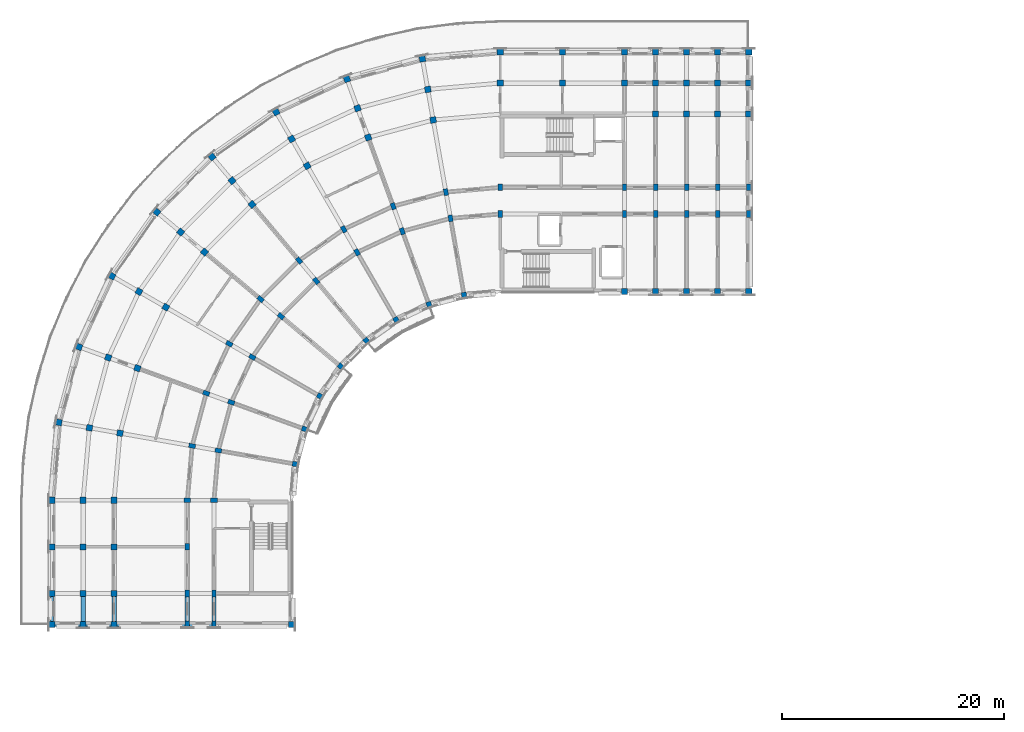
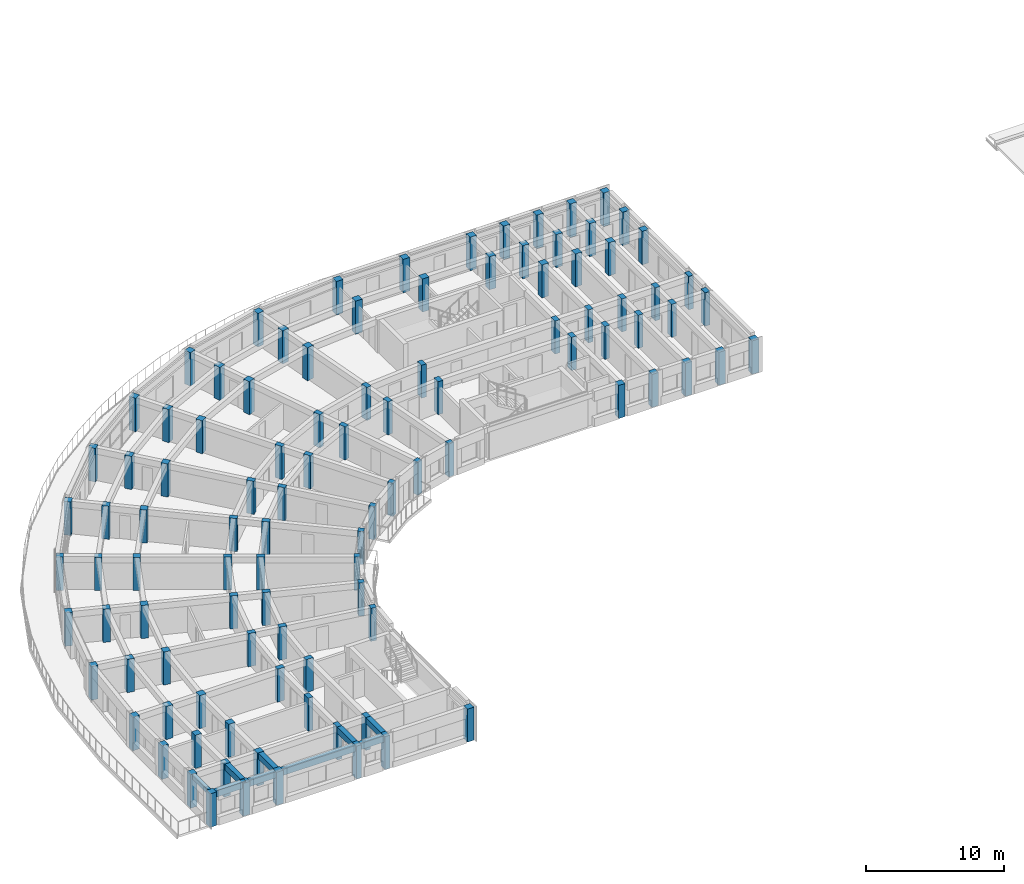
# One storey, part 1 of 23: 103 columns, 9 beams.
"""IFC4 building model written with IfcOpenShell, lengths in metres."""

from ifc_helpers import new_model, si_unit, direction, frame, origin, origin_2d, place, context, subcontext, project, spatial, rectangle, extrude, material, material_profile, profile_set, type_object, element, save


model = new_model("IFC4")

# Units and contexts
model_context = context("Model", 3, precision=1e-05, world=origin(), true_north=direction((0.0, 1.0)))
body_context = subcontext(model_context, "Body", "Model", "MODEL_VIEW")
ifc_project = project(units=[si_unit("LENGTHUNIT", "METRE"), si_unit("AREAUNIT", "SQUARE_METRE"), si_unit("VOLUMEUNIT", "CUBIC_METRE"), si_unit("PLANEANGLEUNIT", "RADIAN"), si_unit("MASSUNIT", "GRAM", prefix="KILO")], contexts=[model_context])

# Site, building, storey
site_placement = place(None, origin())
site = spatial("IfcSite", under=ifc_project, at=site_placement, CompositionType="ELEMENT")
building_placement = place(site_placement, origin())
building = spatial("IfcBuilding", under=site, at=building_placement, Name="Kiranvali Square Residences", CompositionType="ELEMENT")
storey_placement = place(building_placement, frame((0.0, 0.0, 43.35009765625)))
storey = spatial("IfcBuildingStorey", under=building, at=storey_placement, Name="L13", CompositionType="ELEMENT", Elevation=43.35009765625)

# Columns
ifc_material_1 = material(Name="Concrete M40 (40 MPa)", Category="concrete")
ifc_material_profile_1 = material_profile(ifc_material_1, rectangle(XDim=0.449951171875, YDim=0.449951171875, at=origin_2d()), Name="RC 450x450")
ifc_profile_set_1 = profile_set([ifc_material_profile_1], Name="Concrete M40 (40 MPa)")
column_type_1 = type_object("IfcColumnType", Name="COL-M40-450", PredefinedType="COLUMN", material=ifc_profile_set_1)
for number, where, z_axis, x_axis, name in (
    (1, (44.935302734375, 106.314453125, 0.0), (0.0, 0.0, 1.0), (0.984807753012, 0.173648177667, 0.0), "Block A L13 radial column A01-R0"),
    (2, (41.77001953125, 105.46630859375, 0.0), (0.0, 0.0, 1.0), (0.939692620786, 0.342020143326, 0.0), "Block A L13 radial column A02-R0"),
    (3, (38.800048828125, 104.081298828125, 0.0), (0.0, 0.0, 1.0), (0.866025403784, 0.5, 0.0), "Block A L13 radial column A03-R0"),
    (4, (36.115478515625, 102.20166015625, 0.0), (0.0, 0.0, 1.0), (0.766044443119, 0.642787609687, 0.0), "Block A L13 radial column A04-R0"),
    (5, (33.79833984375, 99.884521484375, 0.0), (0.0, 0.0, 1.0), (0.642787609687, 0.766044443119, 0.0), "Block A L13 radial column A05-R0"),
    (6, (31.918701171875, 97.199951171875, 0.0), (0.0, 0.0, 1.0), (0.5, 0.866025403784, 0.0), "Block A L13 radial column A06-R0"),
    (7, (30.53369140625, 94.22998046875, 0.0), (0.0, 0.0, 1.0), (0.342020143326, 0.939692620786, 0.0), "Block A L13 radial column A07-R0"),
    (8, (29.685546875, 91.064697265625, 0.0), (0.0, 0.0, 1.0), (0.173648177667, 0.984807753012, 0.0), "Block A L13 radial column A08-R0"),
):
    element("IfcColumn", number, at=place(storey_placement, frame(where, z_axis=z_axis, x_axis=x_axis)), inside=storey, type_object=column_type_1, Name=name, PredefinedType="COLUMN", context=body_context, shape_type="SweptSolid", body=[
        extrude(rectangle(XDim=0.449951171875, YDim=0.449951171875, at=origin_2d()), origin(), (0.0, 0.0, 1.0), 2.929931640625),
    ])
ifc_material_profile_2 = material_profile(ifc_material_1, rectangle(XDim=0.550048828125, YDim=0.550048828125, at=origin_2d()), Name="RC 550x550")
ifc_profile_set_2 = profile_set([ifc_material_profile_2], Name="Concrete M40 (40 MPa)")
column_type_2 = type_object("IfcColumnType", Name="COL-M40-550", PredefinedType="COLUMN", material=ifc_profile_set_2)
column_1_placement = place(storey_placement, frame((48.199951171875, 125.39990234375, 0.0), z_axis=(0.0, 0.0, 1.0), x_axis=(1.0, 0.0, 0.0)))
element("IfcColumn", 9, at=column_1_placement, inside=storey, type_object=column_type_2, Name="Block A L13 radial column A00-R4", PredefinedType="COLUMN", context=body_context, shape_type="SweptSolid", body=[
    extrude(rectangle(XDim=0.550048828125, YDim=0.550048828125, at=origin_2d()), origin(), (0.0, 0.0, 1.0), 2.929931640625),
])
column_2_placement = place(storey_placement, frame((48.199951171875, 128.199951171875, 0.0), z_axis=(0.0, 0.0, 1.0), x_axis=(1.0, 0.0, 0.0)))
element("IfcColumn", 10, at=column_2_placement, inside=storey, type_object=column_type_2, Name="Block A L13 radial column A00-R5", PredefinedType="COLUMN", context=body_context, shape_type="SweptSolid", body=[
    extrude(rectangle(XDim=0.550048828125, YDim=0.550048828125, at=origin_2d()), origin(), (0.0, 0.0, 1.0), 2.969970703125),
])
for number, where, z_axis, x_axis, name in (
    (11, (42.156982421875, 122.0712890625, 0.0), (0.0, 0.0, 1.0), (0.984807753012, 0.173648177667, 0.0), "Block A L13 radial column A01-R3"),
    (12, (41.6708984375, 124.828857421875, 0.0), (0.0, 0.0, 1.0), (0.984807753012, 0.173648177667, 0.0), "Block A L13 radial column A01-R4"),
):
    element("IfcColumn", number, at=place(storey_placement, frame(where, z_axis=z_axis, x_axis=x_axis)), inside=storey, type_object=column_type_2, Name=name, PredefinedType="COLUMN", context=body_context, shape_type="SweptSolid", body=[
        extrude(rectangle(XDim=0.550048828125, YDim=0.550048828125, at=origin_2d()), origin(), (0.0, 0.0, 1.0), 2.929931640625),
    ])
column_3_placement = place(storey_placement, frame((41.1845703125, 127.586181640625, 0.0), z_axis=(0.0, 0.0, 1.0), x_axis=(0.984807753012, 0.173648177667, 0.0)))
element("IfcColumn", 13, at=column_3_placement, inside=storey, type_object=column_type_2, Name="Block A L13 radial column A01-R5", PredefinedType="COLUMN", context=body_context, shape_type="SweptSolid", body=[
    extrude(rectangle(XDim=0.550048828125, YDim=0.550048828125, at=origin_2d()), origin(), (0.0, 0.0, 1.0), 2.969970703125),
])
for number, where, z_axis, x_axis, name in (
    (14, (36.297607421875, 120.501220703125, 0.0), (0.0, 0.0, 1.0), (0.939692620786, 0.342020143326, 0.0), "Block A L13 radial column A02-R3"),
    (15, (35.340087890625, 123.13232421875, 0.0), (0.0, 0.0, 1.0), (0.939692620786, 0.342020143326, 0.0), "Block A L13 radial column A02-R4"),
):
    element("IfcColumn", number, at=place(storey_placement, frame(where, z_axis=z_axis, x_axis=x_axis)), inside=storey, type_object=column_type_2, Name=name, PredefinedType="COLUMN", context=body_context, shape_type="SweptSolid", body=[
        extrude(rectangle(XDim=0.550048828125, YDim=0.550048828125, at=origin_2d()), origin(), (0.0, 0.0, 1.0), 2.929931640625),
    ])
column_4_placement = place(storey_placement, frame((34.38232421875, 125.763671875, 0.0), z_axis=(0.0, 0.0, 1.0), x_axis=(0.939692620786, 0.342020143326, 0.0)))
element("IfcColumn", 16, at=column_4_placement, inside=storey, type_object=column_type_2, Name="Block A L13 radial column A02-R5", PredefinedType="COLUMN", context=body_context, shape_type="SweptSolid", body=[
    extrude(rectangle(XDim=0.550048828125, YDim=0.550048828125, at=origin_2d()), origin(), (0.0, 0.0, 1.0), 2.969970703125),
])
for number, where, z_axis, x_axis, name in (
    (17, (30.800048828125, 117.937744140625, 0.0), (0.0, 0.0, 1.0), (0.866025403784, 0.5, 0.0), "Block A L13 radial column A03-R3"),
    (18, (29.39990234375, 120.362548828125, 0.0), (0.0, 0.0, 1.0), (0.866025403784, 0.5, 0.0), "Block A L13 radial column A03-R4"),
):
    element("IfcColumn", number, at=place(storey_placement, frame(where, z_axis=z_axis, x_axis=x_axis)), inside=storey, type_object=column_type_2, Name=name, PredefinedType="COLUMN", context=body_context, shape_type="SweptSolid", body=[
        extrude(rectangle(XDim=0.550048828125, YDim=0.550048828125, at=origin_2d()), origin(), (0.0, 0.0, 1.0), 2.929931640625),
    ])
column_5_placement = place(storey_placement, frame((28.0, 122.787353515625, 0.0), z_axis=(0.0, 0.0, 1.0), x_axis=(0.866025403784, 0.5, 0.0)))
element("IfcColumn", 19, at=column_5_placement, inside=storey, type_object=column_type_2, Name="Block A L13 radial column A03-R5", PredefinedType="COLUMN", context=body_context, shape_type="SweptSolid", body=[
    extrude(rectangle(XDim=0.550048828125, YDim=0.550048828125, at=origin_2d()), origin(), (0.0, 0.0, 1.0), 2.969970703125),
])
for number, where, z_axis, x_axis, name in (
    (20, (25.8310546875, 114.458251953125, 0.0), (0.0, 0.0, 1.0), (0.766044443119, 0.642787609687, 0.0), "Block A L13 radial column A04-R3"),
    (21, (24.03125, 116.603271484375, 0.0), (0.0, 0.0, 1.0), (0.766044443119, 0.642787609687, 0.0), "Block A L13 radial column A04-R4"),
):
    element("IfcColumn", number, at=place(storey_placement, frame(where, z_axis=z_axis, x_axis=x_axis)), inside=storey, type_object=column_type_2, Name=name, PredefinedType="COLUMN", context=body_context, shape_type="SweptSolid", body=[
        extrude(rectangle(XDim=0.550048828125, YDim=0.550048828125, at=origin_2d()), origin(), (0.0, 0.0, 1.0), 2.929931640625),
    ])
column_6_placement = place(storey_placement, frame((22.2314453125, 118.748291015625, 0.0), z_axis=(0.0, 0.0, 1.0), x_axis=(0.766044443119, 0.642787609687, 0.0)))
element("IfcColumn", 22, at=column_6_placement, inside=storey, type_object=column_type_2, Name="Block A L13 radial column A04-R5", PredefinedType="COLUMN", context=body_context, shape_type="SweptSolid", body=[
    extrude(rectangle(XDim=0.550048828125, YDim=0.550048828125, at=origin_2d()), origin(), (0.0, 0.0, 1.0), 2.969970703125),
])
for number, where, z_axis, x_axis, name in (
    (23, (21.541748046875, 110.1689453125, 0.0), (0.0, 0.0, 1.0), (0.642787609687, 0.766044443119, 0.0), "Block A L13 radial column A05-R3"),
    (24, (19.396728515625, 111.96875, 0.0), (0.0, 0.0, 1.0), (0.642787609687, 0.766044443119, 0.0), "Block A L13 radial column A05-R4"),
):
    element("IfcColumn", number, at=place(storey_placement, frame(where, z_axis=z_axis, x_axis=x_axis)), inside=storey, type_object=column_type_2, Name=name, PredefinedType="COLUMN", context=body_context, shape_type="SweptSolid", body=[
        extrude(rectangle(XDim=0.550048828125, YDim=0.550048828125, at=origin_2d()), origin(), (0.0, 0.0, 1.0), 2.929931640625),
    ])
column_7_placement = place(storey_placement, frame((17.251708984375, 113.7685546875, 0.0), z_axis=(0.0, 0.0, 1.0), x_axis=(0.642787609687, 0.766044443119, 0.0)))
element("IfcColumn", 25, at=column_7_placement, inside=storey, type_object=column_type_2, Name="Block A L13 radial column A05-R5", PredefinedType="COLUMN", context=body_context, shape_type="SweptSolid", body=[
    extrude(rectangle(XDim=0.550048828125, YDim=0.550048828125, at=origin_2d()), origin(), (0.0, 0.0, 1.0), 2.969970703125),
])
for number, where, z_axis, x_axis, name in (
    (26, (18.062255859375, 105.199951171875, 0.0), (0.0, 0.0, 1.0), (0.5, 0.866025403784, 0.0), "Block A L13 radial column A06-R3"),
    (27, (15.637451171875, 106.60009765625, 0.0), (0.0, 0.0, 1.0), (0.5, 0.866025403784, 0.0), "Block A L13 radial column A06-R4"),
):
    element("IfcColumn", number, at=place(storey_placement, frame(where, z_axis=z_axis, x_axis=x_axis)), inside=storey, type_object=column_type_2, Name=name, PredefinedType="COLUMN", context=body_context, shape_type="SweptSolid", body=[
        extrude(rectangle(XDim=0.550048828125, YDim=0.550048828125, at=origin_2d()), origin(), (0.0, 0.0, 1.0), 2.929931640625),
    ])
column_8_placement = place(storey_placement, frame((13.212646484375, 108.0, 0.0), z_axis=(0.0, 0.0, 1.0), x_axis=(0.5, 0.866025403784, 0.0)))
element("IfcColumn", 28, at=column_8_placement, inside=storey, type_object=column_type_2, Name="Block A L13 radial column A06-R5", PredefinedType="COLUMN", context=body_context, shape_type="SweptSolid", body=[
    extrude(rectangle(XDim=0.550048828125, YDim=0.550048828125, at=origin_2d()), origin(), (0.0, 0.0, 1.0), 2.969970703125),
])
for number, where, z_axis, x_axis, name in (
    (29, (15.498779296875, 99.702392578125, 0.0), (0.0, 0.0, 1.0), (0.342020143326, 0.939692620786, 0.0), "Block A L13 radial column A07-R3"),
    (30, (12.86767578125, 100.659912109375, 0.0), (0.0, 0.0, 1.0), (0.342020143326, 0.939692620786, 0.0), "Block A L13 radial column A07-R4"),
):
    element("IfcColumn", number, at=place(storey_placement, frame(where, z_axis=z_axis, x_axis=x_axis)), inside=storey, type_object=column_type_2, Name=name, PredefinedType="COLUMN", context=body_context, shape_type="SweptSolid", body=[
        extrude(rectangle(XDim=0.550048828125, YDim=0.550048828125, at=origin_2d()), origin(), (0.0, 0.0, 1.0), 2.929931640625),
    ])
column_9_placement = place(storey_placement, frame((10.236328125, 101.61767578125, 0.0), z_axis=(0.0, 0.0, 1.0), x_axis=(0.342020143326, 0.939692620786, 0.0)))
element("IfcColumn", 31, at=column_9_placement, inside=storey, type_object=column_type_2, Name="Block A L13 radial column A07-R5", PredefinedType="COLUMN", context=body_context, shape_type="SweptSolid", body=[
    extrude(rectangle(XDim=0.550048828125, YDim=0.550048828125, at=origin_2d()), origin(), (0.0, 0.0, 1.0), 2.969970703125),
])
for number, where, z_axis, x_axis, name in (
    (32, (13.9287109375, 93.843017578125, 0.0), (0.0, 0.0, 1.0), (0.173648177667, 0.984807753012, 0.0), "Block A L13 radial column A08-R3"),
    (33, (11.171142578125, 94.3291015625, 0.0), (0.0, 0.0, 1.0), (0.173648177667, 0.984807753012, 0.0), "Block A L13 radial column A08-R4"),
):
    element("IfcColumn", number, at=place(storey_placement, frame(where, z_axis=z_axis, x_axis=x_axis)), inside=storey, type_object=column_type_2, Name=name, PredefinedType="COLUMN", context=body_context, shape_type="SweptSolid", body=[
        extrude(rectangle(XDim=0.550048828125, YDim=0.550048828125, at=origin_2d()), origin(), (0.0, 0.0, 1.0), 2.929931640625),
    ])
column_10_placement = place(storey_placement, frame((8.413818359375, 94.8154296875, 0.0), z_axis=(0.0, 0.0, 1.0), x_axis=(0.173648177667, 0.984807753012, 0.0)))
element("IfcColumn", 34, at=column_10_placement, inside=storey, type_object=column_type_2, Name="Block A L13 radial column A08-R5", PredefinedType="COLUMN", context=body_context, shape_type="SweptSolid", body=[
    extrude(rectangle(XDim=0.550048828125, YDim=0.550048828125, at=origin_2d()), origin(), (0.0, 0.0, 1.0), 2.969970703125),
])
for number, where, z_axis, x_axis, name in (
    (35, (13.39990234375, 87.800048828125, 0.0), (0.0, 0.0, 1.0), (0.0, 1.0, 0.0), "Block A L13 radial column A09-R3"),
    (36, (10.60009765625, 87.800048828125, 0.0), (0.0, 0.0, 1.0), (0.0, 1.0, 0.0), "Block A L13 radial column A09-R4"),
):
    element("IfcColumn", number, at=place(storey_placement, frame(where, z_axis=z_axis, x_axis=x_axis)), inside=storey, type_object=column_type_2, Name=name, PredefinedType="COLUMN", context=body_context, shape_type="SweptSolid", body=[
        extrude(rectangle(XDim=0.550048828125, YDim=0.550048828125, at=origin_2d()), origin(), (0.0, 0.0, 1.0), 2.929931640625),
    ])
column_11_placement = place(storey_placement, frame((7.800048828125, 87.800048828125, 0.0), z_axis=(0.0, 0.0, 1.0), x_axis=(0.0, 1.0, 0.0)))
element("IfcColumn", 37, at=column_11_placement, inside=storey, type_object=column_type_2, Name="Block A L13 radial column A09-R5", PredefinedType="COLUMN", context=body_context, shape_type="SweptSolid", body=[
    extrude(rectangle(XDim=0.550048828125, YDim=0.550048828125, at=origin_2d()), origin(), (0.0, 0.0, 1.0), 2.969970703125),
])
column_12_placement = place(storey_placement, frame((53.800048828125, 125.39990234375, 0.0), z_axis=(0.0, 0.0, 1.0), x_axis=(1.0, 0.0, 0.0)))
element("IfcColumn", 38, at=column_12_placement, inside=storey, type_object=column_type_2, Name="Block A L13 core-front column U0-R4", PredefinedType="COLUMN", context=body_context, shape_type="SweptSolid", body=[
    extrude(rectangle(XDim=0.550048828125, YDim=0.550048828125, at=origin_2d()), origin(), (0.0, 0.0, 1.0), 2.929931640625),
])
column_13_placement = place(storey_placement, frame((53.800048828125, 128.199951171875, 0.0), z_axis=(0.0, 0.0, 1.0), x_axis=(1.0, 0.0, 0.0)))
element("IfcColumn", 39, at=column_13_placement, inside=storey, type_object=column_type_2, Name="Block A L13 core-front column U0-R5", PredefinedType="COLUMN", context=body_context, shape_type="SweptSolid", body=[
    extrude(rectangle(XDim=0.550048828125, YDim=0.550048828125, at=origin_2d()), origin(), (0.0, 0.0, 1.0), 2.969970703125),
])
for number, where, z_axis, x_axis, name in (
    (40, (59.39990234375, 106.60009765625, 0.0), (0.0, 0.0, 1.0), (1.0, 0.0, 0.0), "Block A L13 Arm 1 column U1-R0"),
    (41, (59.39990234375, 125.39990234375, 0.0), (0.0, 0.0, 1.0), (1.0, 0.0, 0.0), "Block A L13 Arm 1 column U1-R4"),
):
    element("IfcColumn", number, at=place(storey_placement, frame(where, z_axis=z_axis, x_axis=x_axis)), inside=storey, type_object=column_type_2, Name=name, PredefinedType="COLUMN", context=body_context, shape_type="SweptSolid", body=[
        extrude(rectangle(XDim=0.550048828125, YDim=0.550048828125, at=origin_2d()), origin(), (0.0, 0.0, 1.0), 2.929931640625),
    ])
column_14_placement = place(storey_placement, frame((59.39990234375, 128.199951171875, 0.0), z_axis=(0.0, 0.0, 1.0), x_axis=(1.0, 0.0, 0.0)))
element("IfcColumn", 42, at=column_14_placement, inside=storey, type_object=column_type_2, Name="Block A L13 Arm 1 column U1-R5", PredefinedType="COLUMN", context=body_context, shape_type="SweptSolid", body=[
    extrude(rectangle(XDim=0.550048828125, YDim=0.550048828125, at=origin_2d()), origin(), (0.0, 0.0, 1.0), 2.969970703125),
])
for number, where, z_axis, x_axis, name in (
    (43, (62.199951171875, 106.60009765625, 0.0), (0.0, 0.0, 1.0), (1.0, 0.0, 0.0), "Block A L13 Arm 1 column U2-R0"),
    (44, (62.199951171875, 122.60009765625, 0.0), (0.0, 0.0, 1.0), (1.0, 0.0, 0.0), "Block A L13 Arm 1 column U2-R3"),
    (45, (62.199951171875, 125.39990234375, 0.0), (0.0, 0.0, 1.0), (1.0, 0.0, 0.0), "Block A L13 Arm 1 column U2-R4"),
):
    element("IfcColumn", number, at=place(storey_placement, frame(where, z_axis=z_axis, x_axis=x_axis)), inside=storey, type_object=column_type_2, Name=name, PredefinedType="COLUMN", context=body_context, shape_type="SweptSolid", body=[
        extrude(rectangle(XDim=0.550048828125, YDim=0.550048828125, at=origin_2d()), origin(), (0.0, 0.0, 1.0), 2.929931640625),
    ])
column_15_placement = place(storey_placement, frame((62.199951171875, 128.199951171875, 0.0), z_axis=(0.0, 0.0, 1.0), x_axis=(1.0, 0.0, 0.0)))
element("IfcColumn", 46, at=column_15_placement, inside=storey, type_object=column_type_2, Name="Block A L13 Arm 1 column U2-R5", PredefinedType="COLUMN", context=body_context, shape_type="SweptSolid", body=[
    extrude(rectangle(XDim=0.550048828125, YDim=0.550048828125, at=origin_2d()), origin(), (0.0, 0.0, 1.0), 2.969970703125),
])
for number, where, z_axis, x_axis, name in (
    (47, (65.0, 106.60009765625, 0.0), (0.0, 0.0, 1.0), (1.0, 0.0, 0.0), "Block A L13 Arm 1 column U3-R0"),
    (48, (65.0, 122.60009765625, 0.0), (0.0, 0.0, 1.0), (1.0, 0.0, 0.0), "Block A L13 Arm 1 column U3-R3"),
    (49, (65.0, 125.39990234375, 0.0), (0.0, 0.0, 1.0), (1.0, 0.0, 0.0), "Block A L13 Arm 1 column U3-R4"),
):
    element("IfcColumn", number, at=place(storey_placement, frame(where, z_axis=z_axis, x_axis=x_axis)), inside=storey, type_object=column_type_2, Name=name, PredefinedType="COLUMN", context=body_context, shape_type="SweptSolid", body=[
        extrude(rectangle(XDim=0.550048828125, YDim=0.550048828125, at=origin_2d()), origin(), (0.0, 0.0, 1.0), 2.929931640625),
    ])
column_16_placement = place(storey_placement, frame((65.0, 128.199951171875, 0.0), z_axis=(0.0, 0.0, 1.0), x_axis=(1.0, 0.0, 0.0)))
element("IfcColumn", 50, at=column_16_placement, inside=storey, type_object=column_type_2, Name="Block A L13 Arm 1 column U3-R5", PredefinedType="COLUMN", context=body_context, shape_type="SweptSolid", body=[
    extrude(rectangle(XDim=0.550048828125, YDim=0.550048828125, at=origin_2d()), origin(), (0.0, 0.0, 1.0), 2.969970703125),
])
for number, where, z_axis, x_axis, name in (
    (51, (67.800048828125, 106.60009765625, 0.0), (0.0, 0.0, 1.0), (1.0, 0.0, 0.0), "Block A L13 Arm 1 column U4-R0"),
    (52, (67.800048828125, 122.60009765625, 0.0), (0.0, 0.0, 1.0), (1.0, 0.0, 0.0), "Block A L13 Arm 1 column U4-R3"),
    (53, (67.800048828125, 125.39990234375, 0.0), (0.0, 0.0, 1.0), (1.0, 0.0, 0.0), "Block A L13 Arm 1 column U4-R4"),
):
    element("IfcColumn", number, at=place(storey_placement, frame(where, z_axis=z_axis, x_axis=x_axis)), inside=storey, type_object=column_type_2, Name=name, PredefinedType="COLUMN", context=body_context, shape_type="SweptSolid", body=[
        extrude(rectangle(XDim=0.550048828125, YDim=0.550048828125, at=origin_2d()), origin(), (0.0, 0.0, 1.0), 2.929931640625),
    ])
for number, where, z_axis, x_axis, name in (
    (54, (67.800048828125, 128.199951171875, 0.0), (0.0, 0.0, 1.0), (1.0, 0.0, 0.0), "Block A L13 Arm 1 column U4-R5"),
    (55, (70.60009765625, 106.60009765625, 0.0), (0.0, 0.0, 1.0), (1.0, 0.0, 0.0), "Block A L13 Arm 1 column U5-R0"),
    (56, (70.60009765625, 122.60009765625, 0.0), (0.0, 0.0, 1.0), (1.0, 0.0, 0.0), "Block A L13 Arm 1 column U5-R3"),
    (57, (70.60009765625, 125.39990234375, 0.0), (0.0, 0.0, 1.0), (1.0, 0.0, 0.0), "Block A L13 Arm 1 column U5-R4"),
    (58, (70.60009765625, 128.199951171875, 0.0), (0.0, 0.0, 1.0), (1.0, 0.0, 0.0), "Block A L13 Arm 1 column U5-R5"),
):
    element("IfcColumn", number, at=place(storey_placement, frame(where, z_axis=z_axis, x_axis=x_axis)), inside=storey, type_object=column_type_2, Name=name, PredefinedType="COLUMN", context=body_context, shape_type="SweptSolid", body=[
        extrude(rectangle(XDim=0.550048828125, YDim=0.550048828125, at=origin_2d()), origin(), (0.0, 0.0, 1.0), 2.969970703125),
    ])
for number, where, z_axis, x_axis, name in (
    (59, (13.39990234375, 83.60009765625, 0.0), (0.0, 0.0, 1.0), (1.0, 0.0, 0.0), "Block A L13 Arm 2 mid-core column V0-R3"),
    (60, (10.60009765625, 83.60009765625, 0.0), (0.0, 0.0, 1.0), (1.0, 0.0, 0.0), "Block A L13 Arm 2 mid-core column V0-R4"),
):
    element("IfcColumn", number, at=place(storey_placement, frame(where, z_axis=z_axis, x_axis=x_axis)), inside=storey, type_object=column_type_2, Name=name, PredefinedType="COLUMN", context=body_context, shape_type="SweptSolid", body=[
        extrude(rectangle(XDim=0.550048828125, YDim=0.550048828125, at=origin_2d()), origin(), (0.0, 0.0, 1.0), 2.929931640625),
    ])
column_17_placement = place(storey_placement, frame((7.800048828125, 83.60009765625, 0.0), z_axis=(0.0, 0.0, 1.0), x_axis=(1.0, 0.0, 0.0)))
element("IfcColumn", 61, at=column_17_placement, inside=storey, type_object=column_type_2, Name="Block A L13 Arm 2 mid-core column V0-R5", PredefinedType="COLUMN", context=body_context, shape_type="SweptSolid", body=[
    extrude(rectangle(XDim=0.550048828125, YDim=0.550048828125, at=origin_2d()), origin(), (0.0, 0.0, 1.0), 2.969970703125),
])
for number, where, z_axis, x_axis, name in (
    (62, (13.39990234375, 79.39990234375, 0.0), (0.0, 0.0, 1.0), (1.0, 0.0, 0.0), "Block A L13 Arm 2 column V1-R3"),
    (63, (10.60009765625, 79.39990234375, 0.0), (0.0, 0.0, 1.0), (1.0, 0.0, 0.0), "Block A L13 Arm 2 column V1-R4"),
):
    element("IfcColumn", number, at=place(storey_placement, frame(where, z_axis=z_axis, x_axis=x_axis)), inside=storey, type_object=column_type_2, Name=name, PredefinedType="COLUMN", context=body_context, shape_type="SweptSolid", body=[
        extrude(rectangle(XDim=0.550048828125, YDim=0.550048828125, at=origin_2d()), origin(), (0.0, 0.0, 1.0), 2.929931640625),
    ])
column_18_placement = place(storey_placement, frame((7.800048828125, 79.39990234375, 0.0), z_axis=(0.0, 0.0, 1.0), x_axis=(1.0, 0.0, 0.0)))
element("IfcColumn", 64, at=column_18_placement, inside=storey, type_object=column_type_2, Name="Block A L13 Arm 2 column V1-R5", PredefinedType="COLUMN", context=body_context, shape_type="SweptSolid", body=[
    extrude(rectangle(XDim=0.550048828125, YDim=0.550048828125, at=origin_2d()), origin(), (0.0, 0.0, 1.0), 2.969970703125),
])
for number, where, z_axis, x_axis, name in (
    (65, (29.39990234375, 76.60009765625, 0.0), (0.0, 0.0, 1.0), (1.0, 0.0, 0.0), "Block A L13 Arm 2 column V2-R0"),
    (66, (13.39990234375, 76.60009765625, 0.0), (0.0, 0.0, 1.0), (1.0, 0.0, 0.0), "Block A L13 Arm 2 column V2-R3"),
    (67, (10.60009765625, 76.60009765625, 0.0), (0.0, 0.0, 1.0), (1.0, 0.0, 0.0), "Block A L13 Arm 2 column V2-R4"),
):
    element("IfcColumn", number, at=place(storey_placement, frame(where, z_axis=z_axis, x_axis=x_axis)), inside=storey, type_object=column_type_2, Name=name, PredefinedType="COLUMN", context=body_context, shape_type="SweptSolid", body=[
        extrude(rectangle(XDim=0.550048828125, YDim=0.550048828125, at=origin_2d()), origin(), (0.0, 0.0, 1.0), 2.929931640625),
    ])
column_19_placement = place(storey_placement, frame((7.800048828125, 76.60009765625, 0.0), z_axis=(0.0, 0.0, 1.0), x_axis=(1.0, 0.0, 0.0)))
element("IfcColumn", 68, at=column_19_placement, inside=storey, type_object=column_type_2, Name="Block A L13 Arm 2 column V2-R5", PredefinedType="COLUMN", context=body_context, shape_type="SweptSolid", body=[
    extrude(rectangle(XDim=0.550048828125, YDim=0.550048828125, at=origin_2d()), origin(), (0.0, 0.0, 1.0), 2.969970703125),
])
ifc_material_profile_3 = material_profile(ifc_material_1, rectangle(XDim=0.39990234375, YDim=0.60009765625, at=origin_2d()), Name="RC 600x400")
ifc_profile_set_3 = profile_set([ifc_material_profile_3], Name="Concrete M40 (40 MPa)")
column_type_3 = type_object("IfcColumnType", Name="COL-M40-600x400", PredefinedType="COLUMN", material=ifc_profile_set_3)
for number, where, z_axis, x_axis, name in (
    (69, (48.199951171875, 113.60009765625, 0.0), (0.0, 0.0, 1.0), (1.0, 0.0, 0.0), "Block A L13 radial column A00-R1"),
    (70, (48.199951171875, 116.0, 0.0), (0.0, 0.0, 1.0), (1.0, 0.0, 0.0), "Block A L13 radial column A00-R2"),
    (71, (43.719970703125, 113.2080078125, 0.0), (0.0, 0.0, 1.0), (0.984807753012, 0.173648177667, 0.0), "Block A L13 radial column A01-R1"),
    (72, (43.30322265625, 115.571533203125, 0.0), (0.0, 0.0, 1.0), (0.984807753012, 0.173648177667, 0.0), "Block A L13 radial column A01-R2"),
    (73, (39.3759765625, 112.044189453125, 0.0), (0.0, 0.0, 1.0), (0.939692620786, 0.342020143326, 0.0), "Block A L13 radial column A02-R1"),
    (74, (38.554931640625, 114.29931640625, 0.0), (0.0, 0.0, 1.0), (0.939692620786, 0.342020143326, 0.0), "Block A L13 radial column A02-R2"),
    (75, (35.300048828125, 110.1435546875, 0.0), (0.0, 0.0, 1.0), (0.866025403784, 0.5, 0.0), "Block A L13 radial column A03-R1"),
    (76, (34.10009765625, 112.221923828125, 0.0), (0.0, 0.0, 1.0), (0.866025403784, 0.5, 0.0), "Block A L13 radial column A03-R2"),
    (77, (31.615966796875, 107.56396484375, 0.0), (0.0, 0.0, 1.0), (0.766044443119, 0.642787609687, 0.0), "Block A L13 radial column A04-R1"),
    (78, (30.073486328125, 109.40234375, 0.0), (0.0, 0.0, 1.0), (0.766044443119, 0.642787609687, 0.0), "Block A L13 radial column A04-R2"),
    (79, (28.43603515625, 104.384033203125, 0.0), (0.0, 0.0, 1.0), (0.642787609687, 0.766044443119, 0.0), "Block A L13 radial column A05-R1"),
    (80, (26.59765625, 105.926513671875, 0.0), (0.0, 0.0, 1.0), (0.642787609687, 0.766044443119, 0.0), "Block A L13 radial column A05-R2"),
    (81, (25.8564453125, 100.699951171875, 0.0), (0.0, 0.0, 1.0), (0.5, 0.866025403784, 0.0), "Block A L13 radial column A06-R1"),
    (82, (23.778076171875, 101.89990234375, 0.0), (0.0, 0.0, 1.0), (0.5, 0.866025403784, 0.0), "Block A L13 radial column A06-R2"),
    (83, (23.955810546875, 96.6240234375, 0.0), (0.0, 0.0, 1.0), (0.342020143326, 0.939692620786, 0.0), "Block A L13 radial column A07-R1"),
    (84, (21.70068359375, 97.445068359375, 0.0), (0.0, 0.0, 1.0), (0.342020143326, 0.939692620786, 0.0), "Block A L13 radial column A07-R2"),
    (85, (22.7919921875, 92.280029296875, 0.0), (0.0, 0.0, 1.0), (0.173648177667, 0.984807753012, 0.0), "Block A L13 radial column A08-R1"),
    (86, (20.428466796875, 92.69677734375, 0.0), (0.0, 0.0, 1.0), (0.173648177667, 0.984807753012, 0.0), "Block A L13 radial column A08-R2"),
    (87, (22.39990234375, 87.800048828125, 0.0), (0.0, 0.0, 1.0), (0.0, 1.0, 0.0), "Block A L13 radial column A09-R1"),
    (88, (20.0, 87.800048828125, 0.0), (0.0, 0.0, 1.0), (0.0, 1.0, 0.0), "Block A L13 radial column A09-R2"),
    (89, (59.39990234375, 113.60009765625, 0.0), (0.0, 0.0, 1.0), (1.0, 0.0, 0.0), "Block A L13 Arm 1 column U1-R1"),
    (90, (59.39990234375, 116.0, 0.0), (0.0, 0.0, 1.0), (1.0, 0.0, 0.0), "Block A L13 Arm 1 column U1-R2"),
    (91, (62.199951171875, 113.60009765625, 0.0), (0.0, 0.0, 1.0), (1.0, 0.0, 0.0), "Block A L13 Arm 1 column U2-R1"),
    (92, (62.199951171875, 116.0, 0.0), (0.0, 0.0, 1.0), (1.0, 0.0, 0.0), "Block A L13 Arm 1 column U2-R2"),
    (93, (65.0, 113.60009765625, 0.0), (0.0, 0.0, 1.0), (1.0, 0.0, 0.0), "Block A L13 Arm 1 column U3-R1"),
    (94, (65.0, 116.0, 0.0), (0.0, 0.0, 1.0), (1.0, 0.0, 0.0), "Block A L13 Arm 1 column U3-R2"),
    (95, (67.800048828125, 113.60009765625, 0.0), (0.0, 0.0, 1.0), (1.0, 0.0, 0.0), "Block A L13 Arm 1 column U4-R1"),
    (96, (67.800048828125, 116.0, 0.0), (0.0, 0.0, 1.0), (1.0, 0.0, 0.0), "Block A L13 Arm 1 column U4-R2"),
):
    element("IfcColumn", number, at=place(storey_placement, frame(where, z_axis=z_axis, x_axis=x_axis)), inside=storey, type_object=column_type_3, Name=name, PredefinedType="COLUMN", context=body_context, shape_type="SweptSolid", body=[
        extrude(rectangle(XDim=0.39990234375, YDim=0.60009765625, at=origin_2d()), origin(), (0.0, 0.0, 1.0), 2.929931640625),
    ])
for number, where, z_axis, x_axis, name in (
    (97, (70.60009765625, 113.60009765625, 0.0), (0.0, 0.0, 1.0), (1.0, 0.0, 0.0), "Block A L13 Arm 1 column U5-R1"),
    (98, (70.60009765625, 116.0, 0.0), (0.0, 0.0, 1.0), (1.0, 0.0, 0.0), "Block A L13 Arm 1 column U5-R2"),
):
    element("IfcColumn", number, at=place(storey_placement, frame(where, z_axis=z_axis, x_axis=x_axis)), inside=storey, type_object=column_type_3, Name=name, PredefinedType="COLUMN", context=body_context, shape_type="SweptSolid", body=[
        extrude(rectangle(XDim=0.39990234375, YDim=0.60009765625, at=origin_2d()), origin(), (0.0, 0.0, 1.0), 2.969970703125),
    ])
for number, where, z_axis, x_axis, name in (
    (99, (20.0, 83.60009765625, 0.0), (0.0, 0.0, 1.0), (1.0, 0.0, 0.0), "Block A L13 Arm 2 mid-core column V0-R2"),
    (100, (22.39990234375, 79.39990234375, 0.0), (0.0, 0.0, 1.0), (1.0, 0.0, 0.0), "Block A L13 Arm 2 column V1-R1"),
    (101, (20.0, 79.39990234375, 0.0), (0.0, 0.0, 1.0), (1.0, 0.0, 0.0), "Block A L13 Arm 2 column V1-R2"),
    (102, (22.39990234375, 76.60009765625, 0.0), (0.0, 0.0, 1.0), (1.0, 0.0, 0.0), "Block A L13 Arm 2 column V2-R1"),
    (103, (20.0, 76.60009765625, 0.0), (0.0, 0.0, 1.0), (1.0, 0.0, 0.0), "Block A L13 Arm 2 column V2-R2"),
):
    element("IfcColumn", number, at=place(storey_placement, frame(where, z_axis=z_axis, x_axis=x_axis)), inside=storey, type_object=column_type_3, Name=name, PredefinedType="COLUMN", context=body_context, shape_type="SweptSolid", body=[
        extrude(rectangle(XDim=0.39990234375, YDim=0.60009765625, at=origin_2d()), origin(), (0.0, 0.0, 1.0), 2.929931640625),
    ])

# Beams
ifc_material_profile_4 = material_profile(ifc_material_1, rectangle(XDim=0.35009765625, YDim=0.550048828125, at=origin_2d()), Name="RC 350x550")
ifc_profile_set_4 = profile_set([ifc_material_profile_4], Name="Concrete M40 (40 MPa)")
beam_type_1 = type_object("IfcBeamType", Name="BM-M40-350x550", PredefinedType="BEAM", material=ifc_profile_set_4)
beam_1_placement = place(storey_placement, frame((22.39990234375, 76.60009765625, 2.65478515625), z_axis=(-1.0, 0.0, 0.0), x_axis=(0.0, -1.0, 0.0)))
element("IfcBeam", 104, at=beam_1_placement, inside=storey, type_object=beam_type_1, Name="L13 beam BM-A-L13-A2T2-12", PredefinedType="BEAM", context=body_context, shape_type="SweptSolid", body=[
    extrude(rectangle(XDim=0.35009765625, YDim=0.550048828125, at=origin_2d()), origin(), (0.0, 0.0, 1.0), 2.39990234375),
])
beam_2_placement = place(storey_placement, frame((20.0, 76.60009765625, 2.65478515625), z_axis=(-1.0, 0.0, 0.0), x_axis=(0.0, -1.0, 0.0)))
element("IfcBeam", 105, at=beam_2_placement, inside=storey, type_object=beam_type_1, Name="L13 beam BM-A-L13-A2T2-23", PredefinedType="BEAM", context=body_context, shape_type="SweptSolid", body=[
    extrude(rectangle(XDim=0.35009765625, YDim=0.550048828125, at=origin_2d()), origin(), (0.0, 0.0, 1.0), 6.60009765625),
])
beam_3_placement = place(storey_placement, frame((13.39990234375, 76.60009765625, 2.65478515625), z_axis=(-1.0, 0.0, 0.0), x_axis=(0.0, -1.0, 0.0)))
element("IfcBeam", 106, at=beam_3_placement, inside=storey, type_object=beam_type_1, Name="L13 beam BM-A-L13-A2T2-34", PredefinedType="BEAM", context=body_context, shape_type="SweptSolid", body=[
    extrude(rectangle(XDim=0.35009765625, YDim=0.550048828125, at=origin_2d()), origin(), (0.0, 0.0, 1.0), 2.7998046875),
])
beam_4_placement = place(storey_placement, frame((10.60009765625, 76.60009765625, 2.69482421875), z_axis=(-1.0, 0.0, 0.0), x_axis=(0.0, -1.0, 0.0)))
element("IfcBeam", 107, at=beam_4_placement, inside=storey, type_object=beam_type_1, Name="L13 beam BM-A-L13-A2T2-45", PredefinedType="BEAM", context=body_context, shape_type="SweptSolid", body=[
    extrude(rectangle(XDim=0.35009765625, YDim=0.550048828125, at=origin_2d()), origin(), (0.0, 0.0, 1.0), 2.800048828125),
])
ifc_material_2 = material(Name="Concrete M45 (45 MPa)", Category="concrete")
ifc_material_profile_5 = material_profile(ifc_material_2, rectangle(XDim=0.39990234375, YDim=0.550048828125, at=origin_2d()), Name="RC 400x550")
ifc_profile_set_5 = profile_set([ifc_material_profile_5], Name="Concrete M45 (45 MPa)")
beam_type_2 = type_object("IfcBeamType", Name="BM-M45-400x550", PredefinedType="BEAM", material=ifc_profile_set_5)
for number, where, z_axis, x_axis, name in (
    (108, (22.39990234375, 79.39990234375, 2.65478515625), (0.0, -1.0, 0.0), (1.0, 0.0, 0.0), "L13 beam BM-A-L13-A2V1-R1"),
    (109, (20.0, 79.39990234375, 2.65478515625), (0.0, -1.0, 0.0), (1.0, 0.0, 0.0), "L13 beam BM-A-L13-A2V2-R2"),
    (110, (13.39990234375, 79.39990234375, 2.65478515625), (0.0, -1.0, 0.0), (1.0, 0.0, 0.0), "L13 beam BM-A-L13-A2V2-R3"),
    (111, (10.60009765625, 79.39990234375, 2.65478515625), (0.0, -1.0, 0.0), (1.0, 0.0, 0.0), "L13 beam BM-A-L13-A2V2-R4"),
):
    element("IfcBeam", number, at=place(storey_placement, frame(where, z_axis=z_axis, x_axis=x_axis)), inside=storey, type_object=beam_type_2, Name=name, PredefinedType="BEAM", context=body_context, shape_type="SweptSolid", body=[
        extrude(rectangle(XDim=0.39990234375, YDim=0.550048828125, at=origin_2d()), origin(), (0.0, 0.0, 1.0), 2.7998046875),
    ])
ifc_material_profile_6 = material_profile(ifc_material_1, rectangle(XDim=0.25, YDim=0.449951171875, at=origin_2d()), Name="RC 250x450")
ifc_profile_set_6 = profile_set([ifc_material_profile_6], Name="Concrete M40 (40 MPa)")
beam_type_3 = type_object("IfcBeamType", Name="SPN-M40-250x450", PredefinedType="SPANDREL", material=ifc_profile_set_6)
beam_5_placement = place(storey_placement, frame((7.800048828125, 79.39990234375, 2.744873046875), z_axis=(0.0, -1.0, 0.0), x_axis=(1.0, 0.0, 0.0)))
element("IfcBeam", 112, at=beam_5_placement, inside=storey, type_object=beam_type_3, Name="L13 beam BM-A-L13-A2V2-R5", PredefinedType="SPANDREL", context=body_context, shape_type="SweptSolid", body=[
    extrude(rectangle(XDim=0.25, YDim=0.449951171875, at=origin_2d()), origin(), (0.0, 0.0, 1.0), 2.7998046875),
])

save(model, "model.ifc")
